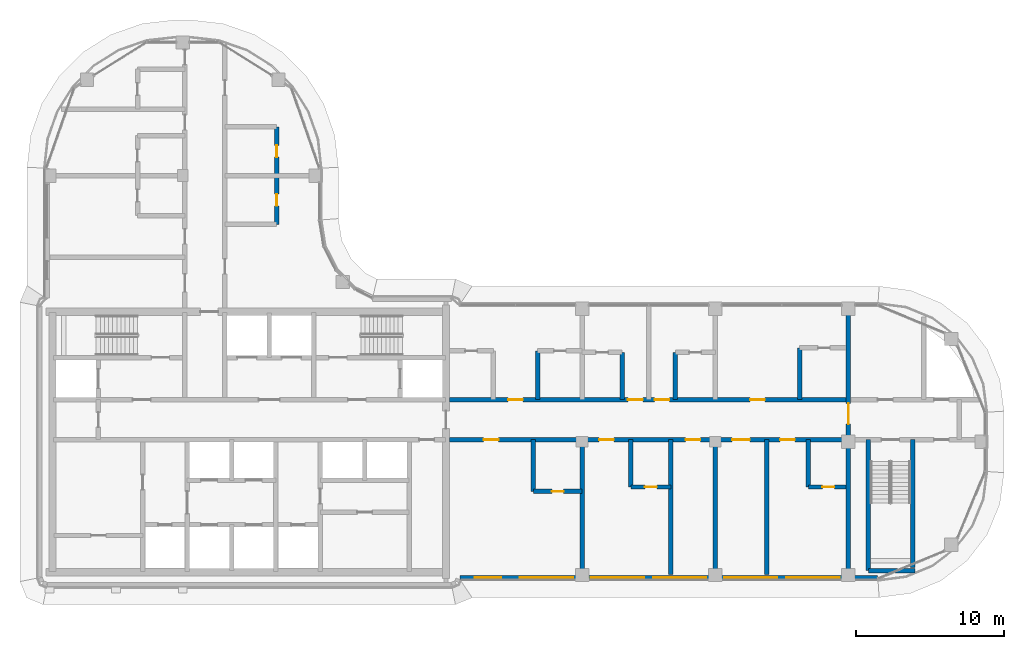
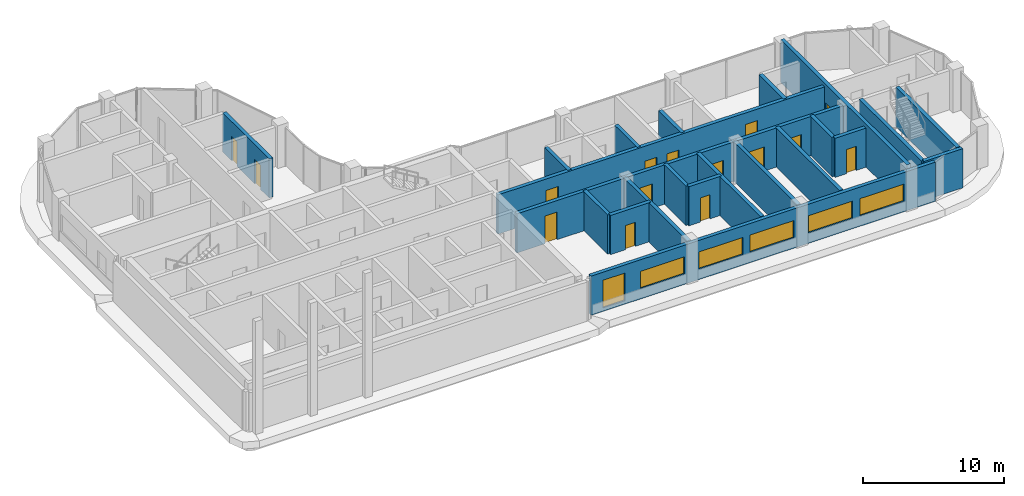
# One storey, part 12 of 20: 22 walls, 15 doors, 6 windows, 21 openings.
"""IFC4 building model written with IfcOpenShell, lengths in metres."""

from ifc_helpers import new_model, si_unit, direction, frame, frame_2d, origin, place, context, subcontext, project, spatial, rectangle, extrude, material, layer, layer_set, type_object, element, fill, save


model = new_model("IFC4")

# Units and contexts
model_context = context("Model", 3, precision=1e-05, world=origin(), true_north=direction((0.0, 1.0)))
body_context = subcontext(model_context, "Body", "Model", "MODEL_VIEW")
ifc_project = project(units=[si_unit("LENGTHUNIT", "METRE"), si_unit("AREAUNIT", "SQUARE_METRE"), si_unit("VOLUMEUNIT", "CUBIC_METRE"), si_unit("PLANEANGLEUNIT", "RADIAN"), si_unit("MASSUNIT", "GRAM", prefix="KILO")], contexts=[model_context])

# Site, building, storey
site_placement = place(None, origin())
site = spatial("IfcSite", under=ifc_project, at=site_placement, CompositionType="ELEMENT")
building_placement = place(site_placement, origin())
building = spatial("IfcBuilding", under=site, at=building_placement, Name="Ogive Portal Towers", CompositionType="ELEMENT")
storey_placement = place(building_placement, frame((0.0, 0.0, 214.300048828125)))
storey = spatial("IfcBuildingStorey", under=building, at=storey_placement, Name="L53", CompositionType="ELEMENT", Elevation=214.300048828125)

# Wall, openings, windows
ifc_material_1 = material(Name="Limestone cladding on lightweight block wall", Category="masonry")
ifc_layer_1 = layer(ifc_material_1, 0.300048828125)
ifc_layer_set_1 = layer_set([ifc_layer_1], Name="EXTERNAL WALL 300 STONE")
wall_type_1 = type_object("IfcWallType", Name="EXTERNAL WALL 300 STONE", PredefinedType="SOLIDWALL", material=ifc_layer_set_1)
wall_1_placement = place(storey_placement, frame((59.250244140625, 21.330078125, 0.0), z_axis=(0.0, 0.0, 1.0), x_axis=(1.0, 0.0, 0.0)))
wall_1 = element("IfcWall", 1, at=wall_1_placement, inside=storey, type_object=wall_type_1, Name="A:L53:f20:r0:wall", PredefinedType="SOLIDWALL", context=body_context, shape_type="SweptSolid", body=[
    extrude(rectangle(XDim=28.23388671875, YDim=0.300048828125, at=frame_2d((14.116943359375, 0.0))), origin(), (0.0, 0.0, 1.0), 3.39990234375),
])
opening_1_placement = place(wall_1_placement, frame((0.974853515625, 0.0, 0.300048828125)))
opening_1 = element("IfcOpeningElement", 2, at=opening_1_placement, cuts=wall_1, Name="Opening WN10", PredefinedType="OPENING", context=body_context, shape_type="SweptSolid", body=[
    extrude(rectangle(XDim=1.800048828125, YDim=2.39990234375, at=frame_2d((0.89990234375, 1.199951171875))), frame((0.0, 0.16015625, 0.0), z_axis=(0.0, -1.0, 0.0), x_axis=(1.0, 0.0, 0.0)), (0.0, 0.0, 1.0), 0.320068359375),
])
opening_2_placement = place(wall_1_placement, frame((4.0498046875, 0.0, 0.89990234375)))
opening_2 = element("IfcOpeningElement", 3, at=opening_2_placement, cuts=wall_1, Name="Opening WN12", PredefinedType="OPENING", context=body_context, shape_type="SweptSolid", body=[
    extrude(rectangle(XDim=3.60009765625, YDim=1.5, at=frame_2d((1.800048828125, 0.75))), frame((0.0, 0.16015625, 0.0), z_axis=(0.0, -1.0, 0.0), x_axis=(1.0, 0.0, 0.0)), (0.0, 0.0, 1.0), 0.320068359375),
])
opening_3_placement = place(wall_1_placement, frame((8.849609375, 0.0, 0.89990234375)))
opening_3 = element("IfcOpeningElement", 4, at=opening_3_placement, cuts=wall_1, Name="Opening WN12", PredefinedType="OPENING", context=body_context, shape_type="SweptSolid", body=[
    extrude(rectangle(XDim=3.60009765625, YDim=1.5, at=frame_2d((1.800048828125, 0.75))), frame((0.0, 0.16015625, 0.0), z_axis=(0.0, -1.0, 0.0), x_axis=(1.0, 0.0, 0.0)), (0.0, 0.0, 1.0), 0.320068359375),
])
opening_4_placement = place(wall_1_placement, frame((13.0498046875, 0.0, 0.89990234375)))
opening_4 = element("IfcOpeningElement", 5, at=opening_4_placement, cuts=wall_1, Name="Opening WN12", PredefinedType="OPENING", context=body_context, shape_type="SweptSolid", body=[
    extrude(rectangle(XDim=3.60009765625, YDim=1.5, at=frame_2d((1.800048828125, 0.75))), frame((0.0, 0.16015625, 0.0), z_axis=(0.0, -1.0, 0.0), x_axis=(1.0, 0.0, 0.0)), (0.0, 0.0, 1.0), 0.320068359375),
])
opening_5_placement = place(wall_1_placement, frame((17.849609375, 0.0, 0.89990234375)))
opening_5 = element("IfcOpeningElement", 6, at=opening_5_placement, cuts=wall_1, Name="Opening WN12", PredefinedType="OPENING", context=body_context, shape_type="SweptSolid", body=[
    extrude(rectangle(XDim=3.60009765625, YDim=1.5, at=frame_2d((1.800048828125, 0.75))), frame((0.0, 0.16015625, 0.0), z_axis=(0.0, -1.0, 0.0), x_axis=(1.0, 0.0, 0.0)), (0.0, 0.0, 1.0), 0.320068359375),
])
opening_6_placement = place(wall_1_placement, frame((22.0498046875, 0.0, 0.89990234375)))
opening_6 = element("IfcOpeningElement", 7, at=opening_6_placement, cuts=wall_1, Name="Opening WN12", PredefinedType="OPENING", context=body_context, shape_type="SweptSolid", body=[
    extrude(rectangle(XDim=3.60009765625, YDim=1.5, at=frame_2d((1.800048828125, 0.75))), frame((0.0, 0.16015625, 0.0), z_axis=(0.0, -1.0, 0.0), x_axis=(1.0, 0.0, 0.0)), (0.0, 0.0, 1.0), 0.320068359375),
])
ifc_material_2 = material(Name="Glass, clear low-iron insulated glazing", Category="glass")
window_type_1 = type_object("IfcWindowType", Name="WINDOW RIBBON 3600x1500", PartitioningType="TRIPLE_PANEL_VERTICAL", PredefinedType="WINDOW", material=ifc_material_2)
window_1_placement = place(opening_2_placement, origin())
window_1 = element("IfcWindow", 8, at=window_1_placement, inside=storey, type_object=window_type_1, Name="A:L53:f20:r0:w1", OverallHeight=1.5, OverallWidth=3.60009765625, PartitioningType="SINGLE_PANEL", PredefinedType="WINDOW", context=body_context, shape_type="SweptSolid", body=[
    extrude(rectangle(XDim=3.60009765625, YDim=1.5, at=frame_2d((1.800048828125, 0.75))), frame((0.0, 0.030029296875, 0.0), z_axis=(0.0, -1.0, 0.0), x_axis=(1.0, 0.0, 0.0)), (0.0, 0.0, 1.0), 0.06005859375),
])
fill(opening_2, window_1)
window_2_placement = place(opening_3_placement, origin())
window_2 = element("IfcWindow", 9, at=window_2_placement, inside=storey, type_object=window_type_1, Name="A:L53:f20:r0:w2", OverallHeight=1.5, OverallWidth=3.60009765625, PartitioningType="SINGLE_PANEL", PredefinedType="WINDOW", context=body_context, shape_type="SweptSolid", body=[
    extrude(rectangle(XDim=3.60009765625, YDim=1.5, at=frame_2d((1.800048828125, 0.75))), frame((0.0, 0.030029296875, 0.0), z_axis=(0.0, -1.0, 0.0), x_axis=(1.0, 0.0, 0.0)), (0.0, 0.0, 1.0), 0.06005859375),
])
fill(opening_3, window_2)
window_3_placement = place(opening_4_placement, origin())
window_3 = element("IfcWindow", 10, at=window_3_placement, inside=storey, type_object=window_type_1, Name="A:L53:f20:r0:w3", OverallHeight=1.5, OverallWidth=3.60009765625, PartitioningType="SINGLE_PANEL", PredefinedType="WINDOW", context=body_context, shape_type="SweptSolid", body=[
    extrude(rectangle(XDim=3.60009765625, YDim=1.5, at=frame_2d((1.800048828125, 0.75))), frame((0.0, 0.030029296875, 0.0), z_axis=(0.0, -1.0, 0.0), x_axis=(1.0, 0.0, 0.0)), (0.0, 0.0, 1.0), 0.06005859375),
])
fill(opening_4, window_3)
window_4_placement = place(opening_5_placement, origin())
window_4 = element("IfcWindow", 11, at=window_4_placement, inside=storey, type_object=window_type_1, Name="A:L53:f20:r0:w4", OverallHeight=1.5, OverallWidth=3.60009765625, PartitioningType="SINGLE_PANEL", PredefinedType="WINDOW", context=body_context, shape_type="SweptSolid", body=[
    extrude(rectangle(XDim=3.60009765625, YDim=1.5, at=frame_2d((1.800048828125, 0.75))), frame((0.0, 0.030029296875, 0.0), z_axis=(0.0, -1.0, 0.0), x_axis=(1.0, 0.0, 0.0)), (0.0, 0.0, 1.0), 0.06005859375),
])
fill(opening_5, window_4)
window_5_placement = place(opening_6_placement, origin())
window_5 = element("IfcWindow", 12, at=window_5_placement, inside=storey, type_object=window_type_1, Name="A:L53:f20:r0:w5", OverallHeight=1.5, OverallWidth=3.60009765625, PartitioningType="SINGLE_PANEL", PredefinedType="WINDOW", context=body_context, shape_type="SweptSolid", body=[
    extrude(rectangle(XDim=3.60009765625, YDim=1.5, at=frame_2d((1.800048828125, 0.75))), frame((0.0, 0.030029296875, 0.0), z_axis=(0.0, -1.0, 0.0), x_axis=(1.0, 0.0, 0.0)), (0.0, 0.0, 1.0), 0.06005859375),
])
fill(opening_6, window_5)
window_type_2 = type_object("IfcWindowType", Name="WINDOW SUITE CORNER 1800x2400", PartitioningType="DOUBLE_PANEL_VERTICAL", PredefinedType="WINDOW", material=ifc_material_2)
window_6_placement = place(opening_1_placement, origin())
window_6 = element("IfcWindow", 13, at=window_6_placement, inside=storey, type_object=window_type_2, Name="A:L53:f20:r0:w0", OverallHeight=2.39990234375, OverallWidth=1.800048828125, PartitioningType="SINGLE_PANEL", PredefinedType="WINDOW", context=body_context, shape_type="SweptSolid", body=[
    extrude(rectangle(XDim=1.800048828125, YDim=2.39990234375, at=frame_2d((0.89990234375, 1.199951171875))), frame((0.0, 0.030029296875, 0.0), z_axis=(0.0, -1.0, 0.0), x_axis=(1.0, 0.0, 0.0)), (0.0, 0.0, 1.0), 0.06005859375),
])
fill(opening_1, window_6)

# Wall, opening, door
ifc_material_3 = material(Name="Concrete C60/75", Category="concrete")
ifc_layer_2 = layer(ifc_material_3, 0.300048828125)
ifc_layer_set_2 = layer_set([ifc_layer_2], Name="REVEAL WALL 300 C60")
wall_type_2 = type_object("IfcWallType", Name="REVEAL WALL 300 C60", PredefinedType="SHEAR", material=ifc_layer_set_2)
wall_2_placement = place(storey_placement, frame((85.5, 21.530029296875, 0.0), z_axis=(0.0, 0.0, 1.0), x_axis=(0.0, 1.0, 0.0)))
wall_2 = element("IfcWall", 14, at=wall_2_placement, inside=storey, type_object=wall_type_2, Name="Portal reveal wall L53", PredefinedType="SHEAR", context=body_context, shape_type="SweptSolid", body=[
    extrude(rectangle(XDim=17.93994140625, YDim=0.300048828125, at=frame_2d((8.969970703125, 0.0))), origin(), (0.0, 0.0, 1.0), 3.699951171875),
])
opening_7_placement = place(wall_2_placement, frame((10.169921875, 0.0, 0.0)))
opening_7 = element("IfcOpeningElement", 15, at=opening_7_placement, cuts=wall_2, Name="Opening D24-057", PredefinedType="OPENING", context=body_context, shape_type="SweptSolid", body=[
    extrude(rectangle(XDim=1.39990234375, YDim=2.10009765625, at=frame_2d((0.699951171875, 1.050048828125))), frame((0.0, 0.16015625, 0.0), z_axis=(0.0, -1.0, 0.0), x_axis=(1.0, 0.0, 0.0)), (0.0, 0.0, 1.0), 0.320068359375),
])
ifc_material_4 = material(Name="Steel fire door", Category="steel")
door_type_1 = type_object("IfcDoorType", Name="DT-STAIR-1400x2100-FD90S", OperationType="SINGLE_SWING_LEFT", PredefinedType="DOOR", material=ifc_material_4)
door_1_placement = place(opening_7_placement, origin())
door_1 = element("IfcDoor", 16, at=door_1_placement, inside=storey, type_object=door_type_1, Name="Door D24-057", OperationType="SINGLE_SWING_RIGHT", OverallHeight=2.10009765625, OverallWidth=1.39990234375, PredefinedType="DOOR", context=body_context, shape_type="SweptSolid", body=[
    extrude(rectangle(XDim=1.39990234375, YDim=2.10009765625, at=frame_2d((0.699951171875, 1.050048828125))), frame((0.0, 0.02490234375, 0.0), z_axis=(0.0, -1.0, 0.0), x_axis=(1.0, 0.0, 0.0)), (0.0, 0.0, 1.0), 0.050048828125),
])
fill(opening_7, door_1)

# Walls
ifc_material_5 = material(Name="Concrete C50/60", Category="concrete")
ifc_layer_3 = layer(ifc_material_5, 0.300048828125)
ifc_layer_set_3 = layer_set([ifc_layer_3], Name="STAIR WALL 300 C50")
wall_type_3 = type_object("IfcWallType", Name="STAIR WALL 300 C50", PredefinedType="SHEAR", material=ifc_layer_set_3)
wall_3_placement = place(storey_placement, frame((86.85009765625, 21.800048828125, 0.0), z_axis=(0.0, 0.0, 1.0), x_axis=(1.0, 0.0, 0.0)))
element("IfcWall", 17, at=wall_3_placement, inside=storey, type_object=wall_type_3, Name="Stair wall ST-A4 L53", PredefinedType="SHEAR", context=body_context, shape_type="SweptSolid", body=[
    extrude(rectangle(XDim=3.16796875, YDim=0.300048828125, at=frame_2d((1.583984375, 0.0))), origin(), (0.0, 0.0, 1.0), 3.39990234375),
])
wall_4_placement = place(storey_placement, frame((86.85009765625, 21.800048828125, 0.0), z_axis=(0.0, 0.0, 1.0), x_axis=(0.0, 1.0, 0.0)))
element("IfcWall", 18, at=wall_4_placement, inside=storey, type_object=wall_type_3, Name="Stair wall ST-A4 L53", PredefinedType="SHEAR", context=body_context, shape_type="SweptSolid", body=[
    extrude(rectangle(XDim=8.849853515625, YDim=0.300048828125, at=frame_2d((4.4248046875, 0.0))), origin(), (0.0, 0.0, 1.0), 3.39990234375),
])
wall_5_placement = place(storey_placement, frame((89.85009765625, 21.9970703125, 0.0), z_axis=(0.0, 0.0, 1.0), x_axis=(0.0, 1.0, 0.0)))
element("IfcWall", 19, at=wall_5_placement, inside=storey, type_object=wall_type_3, Name="Stair wall ST-A4 L53", PredefinedType="SHEAR", context=body_context, shape_type="SweptSolid", body=[
    extrude(rectangle(XDim=8.65283203125, YDim=0.300048828125, at=frame_2d((4.326416015625, 0.0))), origin(), (0.0, 0.0, 1.0), 3.39990234375),
])

# Wall, openings, doors
ifc_material_6 = material(Name="Gypsum board partition on steel studs", Category="steel")
ifc_layer_4 = layer(ifc_material_6, 0.300048828125)
ifc_layer_set_4 = layer_set([ifc_layer_4], Name="WT-PART-300-EI 120")
wall_type_4 = type_object("IfcWallType", Name="WT-PART-300-EI 120", PredefinedType="PARTITIONING", material=ifc_layer_set_4)
wall_6_placement = place(storey_placement, frame((58.550048828125, 30.64990234375, 0.0), z_axis=(0.0, 0.0, 1.0), x_axis=(1.0, 0.0, 0.0)))
wall_6 = element("IfcWall", 20, at=wall_6_placement, inside=storey, type_object=wall_type_4, Name="Wall L53:w005", PredefinedType="PARTITIONING", context=body_context, shape_type="SweptSolid", body=[
    extrude(rectangle(XDim=26.780029296875, YDim=0.300048828125, at=frame_2d((13.39013671875, 0.0))), origin(), (0.0, 0.0, 1.0), 3.39990234375),
])
opening_8_placement = place(wall_6_placement, frame((2.300048828125, 0.0, 0.0)))
opening_8 = element("IfcOpeningElement", 21, at=opening_8_placement, cuts=wall_6, Name="Opening D24-029", PredefinedType="OPENING", context=body_context, shape_type="SweptSolid", body=[
    extrude(rectangle(XDim=1.0, YDim=2.39990234375, at=frame_2d((0.5, 1.199951171875))), frame((0.0, 0.16015625, 0.0), z_axis=(0.0, -1.0, 0.0), x_axis=(1.0, 0.0, 0.0)), (0.0, 0.0, 1.0), 0.320068359375),
])
opening_9_placement = place(wall_6_placement, frame((10.10009765625, 0.0, 0.0)))
opening_9 = element("IfcOpeningElement", 22, at=opening_9_placement, cuts=wall_6, Name="Opening D24-035", PredefinedType="OPENING", context=body_context, shape_type="SweptSolid", body=[
    extrude(rectangle(XDim=1.0, YDim=2.10009765625, at=frame_2d((0.5, 1.050048828125))), frame((0.0, 0.16015625, 0.0), z_axis=(0.0, -1.0, 0.0), x_axis=(1.0, 0.0, 0.0)), (0.0, 0.0, 1.0), 0.320068359375),
])
opening_10_placement = place(wall_6_placement, frame((15.949951171875, 0.0, 0.0)))
opening_10 = element("IfcOpeningElement", 23, at=opening_10_placement, cuts=wall_6, Name="Opening D24-036", PredefinedType="OPENING", context=body_context, shape_type="SweptSolid", body=[
    extrude(rectangle(XDim=1.0, YDim=2.10009765625, at=frame_2d((0.5, 1.050048828125))), frame((0.0, 0.16015625, 0.0), z_axis=(0.0, -1.0, 0.0), x_axis=(1.0, 0.0, 0.0)), (0.0, 0.0, 1.0), 0.320068359375),
])
opening_11_placement = place(wall_6_placement, frame((19.0849609375, 0.0, 0.0)))
opening_11 = element("IfcOpeningElement", 24, at=opening_11_placement, cuts=wall_6, Name="Opening D24-039", PredefinedType="OPENING", context=body_context, shape_type="SweptSolid", body=[
    extrude(rectangle(XDim=1.199951171875, YDim=2.10009765625, at=frame_2d((0.60009765625, 1.050048828125))), frame((0.0, 0.16015625, 0.0), z_axis=(0.0, -1.0, 0.0), x_axis=(1.0, 0.0, 0.0)), (0.0, 0.0, 1.0), 0.320068359375),
])
opening_12_placement = place(wall_6_placement, frame((22.3349609375, 0.0, 0.0)))
opening_12 = element("IfcOpeningElement", 25, at=opening_12_placement, cuts=wall_6, Name="Opening D24-041", PredefinedType="OPENING", context=body_context, shape_type="SweptSolid", body=[
    extrude(rectangle(XDim=1.0, YDim=2.10009765625, at=frame_2d((0.5, 1.050048828125))), frame((0.0, 0.16015625, 0.0), z_axis=(0.0, -1.0, 0.0), x_axis=(1.0, 0.0, 0.0)), (0.0, 0.0, 1.0), 0.320068359375),
])
door_type_2 = type_object("IfcDoorType", Name="DT-ENTRY-1000x2100-FD90S", OperationType="SINGLE_SWING_LEFT", PredefinedType="DOOR", material=ifc_material_4)
door_2_placement = place(opening_9_placement, origin())
door_2 = element("IfcDoor", 26, at=door_2_placement, inside=storey, type_object=door_type_2, Name="Door D24-035", OperationType="SINGLE_SWING_LEFT", OverallHeight=2.10009765625, OverallWidth=1.0, PredefinedType="DOOR", context=body_context, shape_type="SweptSolid", body=[
    extrude(rectangle(XDim=1.0, YDim=2.10009765625, at=frame_2d((0.5, 1.050048828125))), frame((0.0, 0.02490234375, 0.0), z_axis=(0.0, -1.0, 0.0), x_axis=(1.0, 0.0, 0.0)), (0.0, 0.0, 1.0), 0.050048828125),
])
fill(opening_9, door_2)
door_3_placement = place(opening_10_placement, origin())
door_3 = element("IfcDoor", 27, at=door_3_placement, inside=storey, type_object=door_type_2, Name="Door D24-036", OperationType="SINGLE_SWING_RIGHT", OverallHeight=2.10009765625, OverallWidth=1.0, PredefinedType="DOOR", context=body_context, shape_type="SweptSolid", body=[
    extrude(rectangle(XDim=1.0, YDim=2.10009765625, at=frame_2d((0.5, 1.050048828125))), frame((0.0, 0.02490234375, 0.0), z_axis=(0.0, -1.0, 0.0), x_axis=(1.0, 0.0, 0.0)), (0.0, 0.0, 1.0), 0.050048828125),
])
fill(opening_10, door_3)
door_4_placement = place(opening_12_placement, origin())
door_4 = element("IfcDoor", 28, at=door_4_placement, inside=storey, type_object=door_type_2, Name="Door D24-041", OperationType="SINGLE_SWING_LEFT", OverallHeight=2.10009765625, OverallWidth=1.0, PredefinedType="DOOR", context=body_context, shape_type="SweptSolid", body=[
    extrude(rectangle(XDim=1.0, YDim=2.10009765625, at=frame_2d((0.5, 1.050048828125))), frame((0.0, 0.02490234375, 0.0), z_axis=(0.0, -1.0, 0.0), x_axis=(1.0, 0.0, 0.0)), (0.0, 0.0, 1.0), 0.050048828125),
])
fill(opening_12, door_4)
door_type_3 = type_object("IfcDoorType", Name="DT-ENTRY-1000x2400-FD90S", OperationType="SINGLE_SWING_LEFT", PredefinedType="DOOR", material=ifc_material_4)
door_5_placement = place(opening_8_placement, origin())
door_5 = element("IfcDoor", 29, at=door_5_placement, inside=storey, type_object=door_type_3, Name="Door D24-029", OperationType="SINGLE_SWING_LEFT", OverallHeight=2.39990234375, OverallWidth=1.0, PredefinedType="DOOR", context=body_context, shape_type="SweptSolid", body=[
    extrude(rectangle(XDim=1.0, YDim=2.39990234375, at=frame_2d((0.5, 1.199951171875))), frame((0.0, 0.02490234375, 0.0), z_axis=(0.0, -1.0, 0.0), x_axis=(1.0, 0.0, 0.0)), (0.0, 0.0, 1.0), 0.050048828125),
])
fill(opening_8, door_5)
door_type_4 = type_object("IfcDoorType", Name="DT-ENTRY-1200x2100-FD90S", OperationType="SINGLE_SWING_LEFT", PredefinedType="DOOR", material=ifc_material_4)
door_6_placement = place(opening_11_placement, origin())
door_6 = element("IfcDoor", 30, at=door_6_placement, inside=storey, type_object=door_type_4, Name="Door D24-039", OperationType="SINGLE_SWING_RIGHT", OverallHeight=2.10009765625, OverallWidth=1.199951171875, PredefinedType="DOOR", context=body_context, shape_type="SweptSolid", body=[
    extrude(rectangle(XDim=1.199951171875, YDim=2.10009765625, at=frame_2d((0.60009765625, 1.050048828125))), frame((0.0, 0.02490234375, 0.0), z_axis=(0.0, -1.0, 0.0), x_axis=(1.0, 0.0, 0.0)), (0.0, 0.0, 1.0), 0.050048828125),
])
fill(opening_11, door_6)

wall_7_placement = place(storey_placement, frame((58.550048828125, 33.35009765625, 0.0), z_axis=(0.0, 0.0, 1.0), x_axis=(1.0, 0.0, 0.0)))
wall_7 = element("IfcWall", 31, at=wall_7_placement, inside=storey, type_object=wall_type_4, Name="Wall L53:w007", PredefinedType="PARTITIONING", context=body_context, shape_type="SweptSolid", body=[
    extrude(rectangle(XDim=26.780029296875, YDim=0.300048828125, at=frame_2d((13.39013671875, 0.0))), origin(), (0.0, 0.0, 1.0), 3.39990234375),
])
opening_13_placement = place(wall_7_placement, frame((3.949951171875, 0.0, 0.0)))
opening_13 = element("IfcOpeningElement", 32, at=opening_13_placement, cuts=wall_7, Name="Opening D24-027", PredefinedType="OPENING", context=body_context, shape_type="SweptSolid", body=[
    extrude(rectangle(XDim=1.0, YDim=2.39990234375, at=frame_2d((0.5, 1.199951171875))), frame((0.0, 0.16015625, 0.0), z_axis=(0.0, -1.0, 0.0), x_axis=(1.0, 0.0, 0.0)), (0.0, 0.0, 1.0), 0.320068359375),
])
opening_14_placement = place(wall_7_placement, frame((12.050048828125, 0.0, 0.0)))
opening_14 = element("IfcOpeningElement", 33, at=opening_14_placement, cuts=wall_7, Name="Opening D24-031", PredefinedType="OPENING", context=body_context, shape_type="SweptSolid", body=[
    extrude(rectangle(XDim=1.0, YDim=2.10009765625, at=frame_2d((0.5, 1.050048828125))), frame((0.0, 0.16015625, 0.0), z_axis=(0.0, -1.0, 0.0), x_axis=(1.0, 0.0, 0.0)), (0.0, 0.0, 1.0), 0.320068359375),
])
opening_15_placement = place(wall_7_placement, frame((13.85009765625, 0.0, 0.0)))
opening_15 = element("IfcOpeningElement", 34, at=opening_15_placement, cuts=wall_7, Name="Opening D24-033", PredefinedType="OPENING", context=body_context, shape_type="SweptSolid", body=[
    extrude(rectangle(XDim=1.0, YDim=2.10009765625, at=frame_2d((0.5, 1.050048828125))), frame((0.0, 0.16015625, 0.0), z_axis=(0.0, -1.0, 0.0), x_axis=(1.0, 0.0, 0.0)), (0.0, 0.0, 1.0), 0.320068359375),
])
opening_16_placement = place(wall_7_placement, frame((20.300048828125, 0.0, 0.0)))
opening_16 = element("IfcOpeningElement", 35, at=opening_16_placement, cuts=wall_7, Name="Opening D24-038", PredefinedType="OPENING", context=body_context, shape_type="SweptSolid", body=[
    extrude(rectangle(XDim=1.0, YDim=2.39990234375, at=frame_2d((0.5, 1.199951171875))), frame((0.0, 0.16015625, 0.0), z_axis=(0.0, -1.0, 0.0), x_axis=(1.0, 0.0, 0.0)), (0.0, 0.0, 1.0), 0.320068359375),
])
door_7_placement = place(opening_14_placement, origin())
door_7 = element("IfcDoor", 36, at=door_7_placement, inside=storey, type_object=door_type_2, Name="Door D24-031", OperationType="SINGLE_SWING_RIGHT", OverallHeight=2.10009765625, OverallWidth=1.0, PredefinedType="DOOR", context=body_context, shape_type="SweptSolid", body=[
    extrude(rectangle(XDim=1.0, YDim=2.10009765625, at=frame_2d((0.5, 1.050048828125))), frame((0.0, 0.02490234375, 0.0), z_axis=(0.0, -1.0, 0.0), x_axis=(1.0, 0.0, 0.0)), (0.0, 0.0, 1.0), 0.050048828125),
])
fill(opening_14, door_7)
door_8_placement = place(opening_15_placement, origin())
door_8 = element("IfcDoor", 37, at=door_8_placement, inside=storey, type_object=door_type_2, Name="Door D24-033", OperationType="SINGLE_SWING_LEFT", OverallHeight=2.10009765625, OverallWidth=1.0, PredefinedType="DOOR", context=body_context, shape_type="SweptSolid", body=[
    extrude(rectangle(XDim=1.0, YDim=2.10009765625, at=frame_2d((0.5, 1.050048828125))), frame((0.0, 0.02490234375, 0.0), z_axis=(0.0, -1.0, 0.0), x_axis=(1.0, 0.0, 0.0)), (0.0, 0.0, 1.0), 0.050048828125),
])
fill(opening_15, door_8)
door_9_placement = place(opening_13_placement, origin())
door_9 = element("IfcDoor", 38, at=door_9_placement, inside=storey, type_object=door_type_3, Name="Door D24-027", OperationType="SINGLE_SWING_LEFT", OverallHeight=2.39990234375, OverallWidth=1.0, PredefinedType="DOOR", context=body_context, shape_type="SweptSolid", body=[
    extrude(rectangle(XDim=1.0, YDim=2.39990234375, at=frame_2d((0.5, 1.199951171875))), frame((0.0, 0.02490234375, 0.0), z_axis=(0.0, -1.0, 0.0), x_axis=(1.0, 0.0, 0.0)), (0.0, 0.0, 1.0), 0.050048828125),
])
fill(opening_13, door_9)
door_10_placement = place(opening_16_placement, origin())
door_10 = element("IfcDoor", 39, at=door_10_placement, inside=storey, type_object=door_type_3, Name="Door D24-038", OperationType="SINGLE_SWING_LEFT", OverallHeight=2.39990234375, OverallWidth=1.0, PredefinedType="DOOR", context=body_context, shape_type="SweptSolid", body=[
    extrude(rectangle(XDim=1.0, YDim=2.39990234375, at=frame_2d((0.5, 1.199951171875))), frame((0.0, 0.02490234375, 0.0), z_axis=(0.0, -1.0, 0.0), x_axis=(1.0, 0.0, 0.0)), (0.0, 0.0, 1.0), 0.050048828125),
])
fill(opening_16, door_10)

# Wall, opening, door
ifc_layer_5 = layer(ifc_material_6, 0.300048828125)
ifc_layer_set_5 = layer_set([ifc_layer_5], Name="WT-PART-300-EI 60")
wall_type_5 = type_object("IfcWallType", Name="WT-PART-300-EI 60", PredefinedType="PARTITIONING", material=ifc_layer_set_5)
wall_8_placement = place(storey_placement, frame((64.199951171875, 27.14990234375, 0.0), z_axis=(0.0, 0.0, 1.0), x_axis=(1.0, 0.0, 0.0)))
wall_8 = element("IfcWall", 40, at=wall_8_placement, inside=storey, type_object=wall_type_5, Name="Wall L53:w002", PredefinedType="PARTITIONING", context=body_context, shape_type="SweptSolid", body=[
    extrude(rectangle(XDim=3.300048828125, YDim=0.300048828125, at=frame_2d((1.64990234375, 0.0))), origin(), (0.0, 0.0, 1.0), 3.39990234375),
])
opening_17_placement = place(wall_8_placement, frame((1.25, 0.0, 0.0)))
opening_17 = element("IfcOpeningElement", 41, at=opening_17_placement, cuts=wall_8, Name="Opening D24-028", PredefinedType="OPENING", context=body_context, shape_type="SweptSolid", body=[
    extrude(rectangle(XDim=0.800048828125, YDim=2.10009765625, at=frame_2d((0.39990234375, 1.050048828125))), frame((0.0, 0.16015625, 0.0), z_axis=(0.0, -1.0, 0.0), x_axis=(1.0, 0.0, 0.0)), (0.0, 0.0, 1.0), 0.320068359375),
])
door_type_5 = type_object("IfcDoorType", Name="DT-BATH-800x2100-FD60S", OperationType="SINGLE_SWING_LEFT", PredefinedType="DOOR", material=ifc_material_4)
door_11_placement = place(opening_17_placement, origin())
door_11 = element("IfcDoor", 42, at=door_11_placement, inside=storey, type_object=door_type_5, Name="Door D24-028", OperationType="SINGLE_SWING_LEFT", OverallHeight=2.10009765625, OverallWidth=0.800048828125, PredefinedType="DOOR", context=body_context, shape_type="SweptSolid", body=[
    extrude(rectangle(XDim=0.800048828125, YDim=2.10009765625, at=frame_2d((0.39990234375, 1.050048828125))), frame((0.0, 0.02490234375, 0.0), z_axis=(0.0, -1.0, 0.0), x_axis=(1.0, 0.0, 0.0)), (0.0, 0.0, 1.0), 0.050048828125),
])
fill(opening_17, door_11)

wall_9_placement = place(storey_placement, frame((70.800048828125, 27.449951171875, 0.0), z_axis=(0.0, 0.0, 1.0), x_axis=(1.0, 0.0, 0.0)))
wall_9 = element("IfcWall", 43, at=wall_9_placement, inside=storey, type_object=wall_type_5, Name="Wall L53:w003", PredefinedType="PARTITIONING", context=body_context, shape_type="SweptSolid", body=[
    extrude(rectangle(XDim=2.699951171875, YDim=0.300048828125, at=frame_2d((1.35009765625, 0.0))), origin(), (0.0, 0.0, 1.0), 3.39990234375),
])
opening_18_placement = place(wall_9_placement, frame((0.949951171875, 0.0, 0.0)))
opening_18 = element("IfcOpeningElement", 44, at=opening_18_placement, cuts=wall_9, Name="Opening D24-034", PredefinedType="OPENING", context=body_context, shape_type="SweptSolid", body=[
    extrude(rectangle(XDim=0.800048828125, YDim=2.10009765625, at=frame_2d((0.39990234375, 1.050048828125))), frame((0.0, 0.16015625, 0.0), z_axis=(0.0, -1.0, 0.0), x_axis=(1.0, 0.0, 0.0)), (0.0, 0.0, 1.0), 0.320068359375),
])
door_12_placement = place(opening_18_placement, origin())
door_12 = element("IfcDoor", 45, at=door_12_placement, inside=storey, type_object=door_type_5, Name="Door D24-034", OperationType="SINGLE_SWING_LEFT", OverallHeight=2.10009765625, OverallWidth=0.800048828125, PredefinedType="DOOR", context=body_context, shape_type="SweptSolid", body=[
    extrude(rectangle(XDim=0.800048828125, YDim=2.10009765625, at=frame_2d((0.39990234375, 1.050048828125))), frame((0.0, 0.02490234375, 0.0), z_axis=(0.0, -1.0, 0.0), x_axis=(1.0, 0.0, 0.0)), (0.0, 0.0, 1.0), 0.050048828125),
])
fill(opening_18, door_12)

wall_10_placement = place(storey_placement, frame((82.800048828125, 27.449951171875, 0.0), z_axis=(0.0, 0.0, 1.0), x_axis=(1.0, 0.0, 0.0)))
wall_10 = element("IfcWall", 46, at=wall_10_placement, inside=storey, type_object=wall_type_5, Name="Wall L53:w004", PredefinedType="PARTITIONING", context=body_context, shape_type="SweptSolid", body=[
    extrude(rectangle(XDim=2.530029296875, YDim=0.300048828125, at=frame_2d((1.26513671875, 0.0))), origin(), (0.0, 0.0, 1.0), 3.39990234375),
])
opening_19_placement = place(wall_10_placement, frame((0.949951171875, 0.0, 0.0)))
opening_19 = element("IfcOpeningElement", 47, at=opening_19_placement, cuts=wall_10, Name="Opening D24-040", PredefinedType="OPENING", context=body_context, shape_type="SweptSolid", body=[
    extrude(rectangle(XDim=0.800048828125, YDim=2.10009765625, at=frame_2d((0.39990234375, 1.050048828125))), frame((0.0, 0.16015625, 0.0), z_axis=(0.0, -1.0, 0.0), x_axis=(1.0, 0.0, 0.0)), (0.0, 0.0, 1.0), 0.320068359375),
])
door_13_placement = place(opening_19_placement, origin())
door_13 = element("IfcDoor", 48, at=door_13_placement, inside=storey, type_object=door_type_5, Name="Door D24-040", OperationType="SINGLE_SWING_LEFT", OverallHeight=2.10009765625, OverallWidth=0.800048828125, PredefinedType="DOOR", context=body_context, shape_type="SweptSolid", body=[
    extrude(rectangle(XDim=0.800048828125, YDim=2.10009765625, at=frame_2d((0.39990234375, 1.050048828125))), frame((0.0, 0.02490234375, 0.0), z_axis=(0.0, -1.0, 0.0), x_axis=(1.0, 0.0, 0.0)), (0.0, 0.0, 1.0), 0.050048828125),
])
fill(opening_19, door_13)

# Wall, openings, doors
wall_11_placement = place(storey_placement, frame((46.85009765625, 45.199951171875, 0.0), z_axis=(0.0, 0.0, 1.0), x_axis=(0.0, 1.0, 0.0)))
wall_11 = element("IfcWall", 49, at=wall_11_placement, inside=storey, type_object=wall_type_5, Name="Wall L53:w027", PredefinedType="PARTITIONING", context=body_context, shape_type="SweptSolid", body=[
    extrude(rectangle(XDim=6.60009765625, YDim=0.300048828125, at=frame_2d((3.300048828125, 0.0))), origin(), (0.0, 0.0, 1.0), 3.39990234375),
])
opening_20_placement = place(wall_11_placement, frame((1.25, 0.0, 0.0)))
opening_20 = element("IfcOpeningElement", 50, at=opening_20_placement, cuts=wall_11, Name="Opening D24-042", PredefinedType="OPENING", context=body_context, shape_type="SweptSolid", body=[
    extrude(rectangle(XDim=0.800048828125, YDim=2.10009765625, at=frame_2d((0.39990234375, 1.050048828125))), frame((0.0, 0.16015625, 0.0), z_axis=(0.0, -1.0, 0.0), x_axis=(1.0, 0.0, 0.0)), (0.0, 0.0, 1.0), 0.320068359375),
])
opening_21_placement = place(wall_11_placement, frame((4.550048828125, 0.0, 0.0)))
opening_21 = element("IfcOpeningElement", 51, at=opening_21_placement, cuts=wall_11, Name="Opening D24-047", PredefinedType="OPENING", context=body_context, shape_type="SweptSolid", body=[
    extrude(rectangle(XDim=0.800048828125, YDim=2.10009765625, at=frame_2d((0.39990234375, 1.050048828125))), frame((0.0, 0.16015625, 0.0), z_axis=(0.0, -1.0, 0.0), x_axis=(1.0, 0.0, 0.0)), (0.0, 0.0, 1.0), 0.320068359375),
])
door_14_placement = place(opening_20_placement, origin())
door_14 = element("IfcDoor", 52, at=door_14_placement, inside=storey, type_object=door_type_5, Name="Door D24-042", OperationType="SINGLE_SWING_LEFT", OverallHeight=2.10009765625, OverallWidth=0.800048828125, PredefinedType="DOOR", context=body_context, shape_type="SweptSolid", body=[
    extrude(rectangle(XDim=0.800048828125, YDim=2.10009765625, at=frame_2d((0.39990234375, 1.050048828125))), frame((0.0, 0.02490234375, 0.0), z_axis=(0.0, -1.0, 0.0), x_axis=(1.0, 0.0, 0.0)), (0.0, 0.0, 1.0), 0.050048828125),
])
fill(opening_20, door_14)
door_15_placement = place(opening_21_placement, origin())
door_15 = element("IfcDoor", 53, at=door_15_placement, inside=storey, type_object=door_type_5, Name="Door D24-047", OperationType="SINGLE_SWING_RIGHT", OverallHeight=2.10009765625, OverallWidth=0.800048828125, PredefinedType="DOOR", context=body_context, shape_type="SweptSolid", body=[
    extrude(rectangle(XDim=0.800048828125, YDim=2.10009765625, at=frame_2d((0.39990234375, 1.050048828125))), frame((0.0, 0.02490234375, 0.0), z_axis=(0.0, -1.0, 0.0), x_axis=(1.0, 0.0, 0.0)), (0.0, 0.0, 1.0), 0.050048828125),
])
fill(opening_21, door_15)

# Walls
wall_12_placement = place(storey_placement, frame((64.199951171875, 27.14990234375, 0.0), z_axis=(0.0, 0.0, 1.0), x_axis=(0.0, 1.0, 0.0)))
element("IfcWall", 54, at=wall_12_placement, inside=storey, type_object=wall_type_5, Name="Wall L53:w029", PredefinedType="PARTITIONING", context=body_context, shape_type="SweptSolid", body=[
    extrude(rectangle(XDim=3.5, YDim=0.300048828125, at=frame_2d((1.75, 0.0))), origin(), (0.0, 0.0, 1.0), 3.39990234375),
])
wall_13_placement = place(storey_placement, frame((64.5, 33.35009765625, 0.0), z_axis=(0.0, 0.0, 1.0), x_axis=(0.0, 1.0, 0.0)))
element("IfcWall", 55, at=wall_13_placement, inside=storey, type_object=wall_type_5, Name="Wall L53:w030", PredefinedType="PARTITIONING", context=body_context, shape_type="SweptSolid", body=[
    extrude(rectangle(XDim=3.2998046875, YDim=0.300048828125, at=frame_2d((1.64990234375, 0.0))), origin(), (0.0, 0.0, 1.0), 3.39990234375),
])
wall_14_placement = place(storey_placement, frame((67.5, 21.530029296875, 0.0), z_axis=(0.0, 0.0, 1.0), x_axis=(0.0, 1.0, 0.0)))
element("IfcWall", 56, at=wall_14_placement, inside=storey, type_object=wall_type_5, Name="Wall L53:w031", PredefinedType="PARTITIONING", context=body_context, shape_type="SweptSolid", body=[
    extrude(rectangle(XDim=9.119873046875, YDim=0.300048828125, at=frame_2d((4.56005859375, 0.0))), origin(), (0.0, 0.0, 1.0), 3.39990234375),
])
for number, where, z_axis, x_axis, name in (
    (57, (70.199951171875, 33.35009765625, 0.0), (0.0, 0.0, 1.0), (0.0, 1.0, 0.0), "Wall L53:w033"),
    (58, (70.800048828125, 27.449951171875, 0.0), (0.0, 0.0, 1.0), (0.0, 1.0, 0.0), "Wall L53:w034"),
):
    element("IfcWall", number, at=place(storey_placement, frame(where, z_axis=z_axis, x_axis=x_axis)), inside=storey, type_object=wall_type_5, Name=name, PredefinedType="PARTITIONING", context=body_context, shape_type="SweptSolid", body=[
        extrude(rectangle(XDim=3.199951171875, YDim=0.300048828125, at=frame_2d((1.60009765625, 0.0))), origin(), (0.0, 0.0, 1.0), 3.39990234375),
    ])
wall_15_placement = place(storey_placement, frame((73.5, 21.530029296875, 0.0), z_axis=(0.0, 0.0, 1.0), x_axis=(0.0, 1.0, 0.0)))
element("IfcWall", 59, at=wall_15_placement, inside=storey, type_object=wall_type_5, Name="Wall L53:w036", PredefinedType="PARTITIONING", context=body_context, shape_type="SweptSolid", body=[
    extrude(rectangle(XDim=9.119873046875, YDim=0.300048828125, at=frame_2d((4.56005859375, 0.0))), origin(), (0.0, 0.0, 1.0), 3.39990234375),
])
wall_16_placement = place(storey_placement, frame((73.800048828125, 33.35009765625, 0.0), z_axis=(0.0, 0.0, 1.0), x_axis=(0.0, 1.0, 0.0)))
element("IfcWall", 60, at=wall_16_placement, inside=storey, type_object=wall_type_5, Name="Wall L53:w037", PredefinedType="PARTITIONING", context=body_context, shape_type="SweptSolid", body=[
    extrude(rectangle(XDim=3.199951171875, YDim=0.300048828125, at=frame_2d((1.60009765625, 0.0))), origin(), (0.0, 0.0, 1.0), 3.39990234375),
])
for number, where, z_axis, x_axis, name in (
    (61, (76.5, 21.530029296875, 0.0), (0.0, 0.0, 1.0), (0.0, 1.0, 0.0), "Wall L53:w038"),
    (62, (79.969970703125, 21.530029296875, 0.0), (0.0, 0.0, 1.0), (0.0, 1.0, 0.0), "Wall L53:w040"),
):
    element("IfcWall", number, at=place(storey_placement, frame(where, z_axis=z_axis, x_axis=x_axis)), inside=storey, type_object=wall_type_5, Name=name, PredefinedType="PARTITIONING", context=body_context, shape_type="SweptSolid", body=[
        extrude(rectangle(XDim=9.119873046875, YDim=0.300048828125, at=frame_2d((4.56005859375, 0.0))), origin(), (0.0, 0.0, 1.0), 3.39990234375),
    ])
wall_17_placement = place(storey_placement, frame((82.199951171875, 33.35009765625, 0.0), z_axis=(0.0, 0.0, 1.0), x_axis=(0.0, 1.0, 0.0)))
element("IfcWall", 63, at=wall_17_placement, inside=storey, type_object=wall_type_5, Name="Wall L53:w041", PredefinedType="PARTITIONING", context=body_context, shape_type="SweptSolid", body=[
    extrude(rectangle(XDim=3.5, YDim=0.300048828125, at=frame_2d((1.75, 0.0))), origin(), (0.0, 0.0, 1.0), 3.39990234375),
])
wall_18_placement = place(storey_placement, frame((82.800048828125, 27.449951171875, 0.0), z_axis=(0.0, 0.0, 1.0), x_axis=(0.0, 1.0, 0.0)))
element("IfcWall", 64, at=wall_18_placement, inside=storey, type_object=wall_type_5, Name="Wall L53:w042", PredefinedType="PARTITIONING", context=body_context, shape_type="SweptSolid", body=[
    extrude(rectangle(XDim=3.199951171875, YDim=0.300048828125, at=frame_2d((1.60009765625, 0.0))), origin(), (0.0, 0.0, 1.0), 3.39990234375),
])

save(model, "model.ifc")
